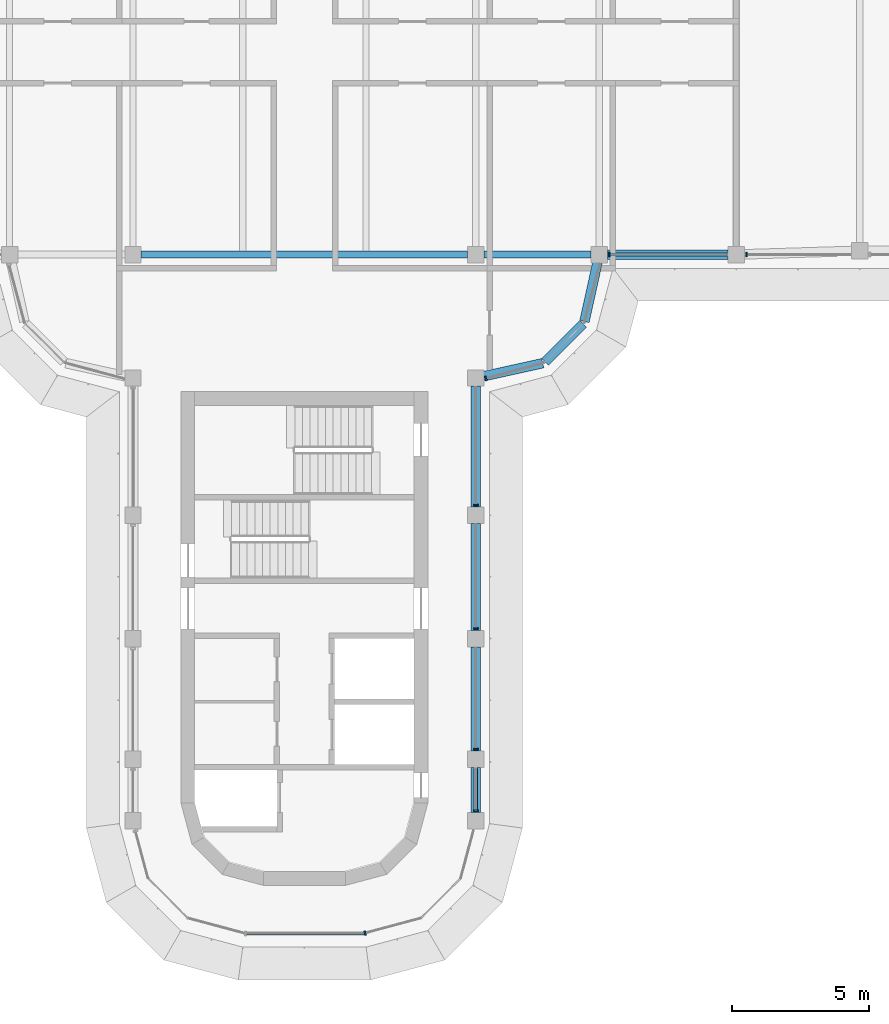
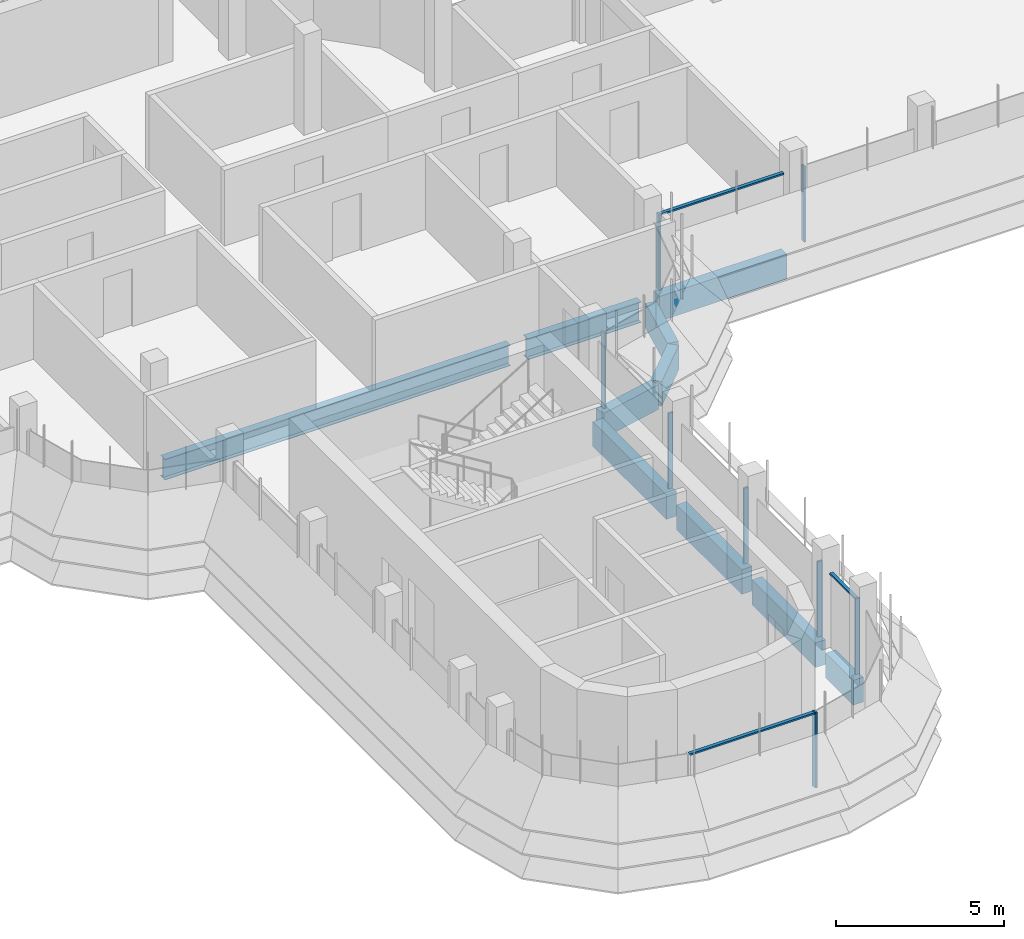
# One storey, part 4 of 19: 11 members, 10 beams, 5 elements without a shape of their own.
"""IFC4 building model written with IfcOpenShell, lengths in metres."""

import ifcopenshell
import ifcopenshell.guid

model = None  # the IFC model being written
_history = None  # IfcOwnerHistory: only IFC2X3 demands one
_inside = {}  # id of a spatial element -> (the spatial element, [elements in it])
_under = {}  # id of a project, library or spatial element -> (it, [spatial elements below it])
_declared = {}  # id of a project -> (the project, [libraries it declares])
_typed = {}  # id of a type object -> (the type object, [elements of that type])
_made_of = {}  # id of a material, layer set ... -> (it, [elements and type objects made of it])


def new_model(schema):
    """Start an empty IFC model of exactly this schema.

    Asked for "IFC4X3", IfcOpenShell would pick the latest addendum, in which some entities
    have other attributes; the version numbers below select the first issue.
    IFC2X3 requires an IfcOwnerHistory on every rooted entity: one is made here for all.
    """
    global model, _history
    if schema == "IFC4X3":
        model = ifcopenshell.file(schema_version=(4, 3, 0, 0))
    else:
        model = ifcopenshell.file(schema=schema)
    _inside.clear()
    _under.clear()
    _declared.clear()
    _typed.clear()
    _made_of.clear()
    _history = None
    if model.schema == "IFC2X3":
        org = make("IfcOrganization", Name="unknown")
        user = make(
            "IfcPersonAndOrganization",
            ThePerson=make("IfcPerson", FamilyName="unknown"),
            TheOrganization=org,
        )
        app = make(
            "IfcApplication",
            ApplicationDeveloper=org,
            Version="unknown",
            ApplicationFullName="unknown",
            ApplicationIdentifier="unknown",
        )
        _history = make(
            "IfcOwnerHistory",
            OwningUser=user,
            OwningApplication=app,
            ChangeAction="ADDED",
            CreationDate=0,
        )
    return model


def make(cls, **values):
    """One entity of the class cls with the attributes given. An attribute that is None is left unset."""
    return model.create_entity(
        cls, **{name: value for name, value in values.items() if value is not None}
    )


def rooted(cls, **values):
    """An entity with a GlobalId (a new one), such as an element, a storey or a relation."""
    return make(cls, GlobalId=ifcopenshell.guid.new(), OwnerHistory=_history, **values)


def si_unit(unit_type, name, prefix=None):
    """IfcSIUnit, for example si_unit("LENGTHUNIT", "METRE", prefix="MILLI")."""
    return make("IfcSIUnit", UnitType=unit_type, Prefix=prefix, Name=name)


def assignment(units):
    """IfcUnitAssignment: the units of a project."""
    return None if units is None else make("IfcUnitAssignment", Units=units)


def point(xyz):
    """IfcCartesianPoint."""
    return None if xyz is None else make("IfcCartesianPoint", Coordinates=xyz)


def direction(xyz):
    """IfcDirection."""
    return None if xyz is None else make("IfcDirection", DirectionRatios=xyz)


def frame(location, z_axis=None, x_axis=None):
    """IfcAxis2Placement3D, a coordinate frame: its origin and axes. An axis left out is left unset."""
    return make(
        "IfcAxis2Placement3D",
        Location=point(location),
        Axis=direction(z_axis),
        RefDirection=direction(x_axis),
    )


def frame_2d(location, x_axis=None):
    """IfcAxis2Placement2D, a coordinate frame in the plane: its origin and x axis."""
    return make(
        "IfcAxis2Placement2D", Location=point(location), RefDirection=direction(x_axis)
    )


def origin():
    """The frame at (0, 0, 0) with its axes left unset."""
    return frame((0.0, 0.0, 0.0))


def origin_2d():
    """The frame at (0, 0) in the plane with its x axis left unset."""
    return frame_2d((0.0, 0.0))


def place(relative_to, where):
    """IfcLocalPlacement: puts the frame where relative to a parent placement (None: the world)."""
    return make(
        "IfcLocalPlacement", PlacementRelTo=relative_to, RelativePlacement=where
    )


def context(
    kind, dimensions, precision=None, world=None, true_north=None, identifier=None
):
    """IfcGeometricRepresentationContext, for example the 3D "Model" context."""
    return make(
        "IfcGeometricRepresentationContext",
        ContextIdentifier=identifier,
        ContextType=kind,
        CoordinateSpaceDimension=dimensions,
        Precision=precision,
        WorldCoordinateSystem=world,
        TrueNorth=true_north,
    )


def subcontext(parent, identifier, kind, view, scale=None):
    """IfcGeometricRepresentationSubContext, for example "Body" below "Model"."""
    return make(
        "IfcGeometricRepresentationSubContext",
        ContextIdentifier=identifier,
        ContextType=kind,
        ParentContext=parent,
        TargetScale=scale,
        TargetView=view,
    )


def project(units=None, contexts=None):
    """IfcProject with its units and contexts."""
    return rooted(
        "IfcProject",
        Name="project",
        RepresentationContexts=contexts,
        UnitsInContext=assignment(units),
    )


def spatial(cls, under=None, at=None, **own):
    """A site, building, storey or space (cls), placed at a placement, below another one or the project."""
    s = rooted(cls, ObjectPlacement=at, **own)
    if under is not None:
        _under.setdefault(under.id(), (under, []))[1].append(s)
    return s


def polyline(points):
    """IfcPolyline through the points."""
    return make("IfcPolyline", Points=[point(p) for p in points])


def profile(cls, at=None, kind="AREA", **sizes):
    """A parametric profile (cls). Its sizes go by their IFC names, for example OverallWidth=200.0."""
    return make(cls, ProfileType=kind, Position=at, **sizes)


def rectangle(**sizes):
    """IfcRectangleProfileDef."""
    return profile("IfcRectangleProfileDef", **sizes)


def i_section(**sizes):
    """IfcIShapeProfileDef."""
    return profile("IfcIShapeProfileDef", **sizes)


def outline(outer, holes=None, kind="AREA"):
    """IfcArbitraryClosedProfileDef: a profile drawn as a closed curve; with holes, ...WithVoids."""
    if holes is None:
        return make("IfcArbitraryClosedProfileDef", ProfileType=kind, OuterCurve=outer)
    return make(
        "IfcArbitraryProfileDefWithVoids",
        ProfileType=kind,
        OuterCurve=outer,
        InnerCurves=holes,
    )


def extrude(swept, where, along, depth):
    """IfcExtrudedAreaSolid: the profile swept, set in the frame where, extruded along a direction by depth."""
    return make(
        "IfcExtrudedAreaSolid",
        SweptArea=swept,
        Position=where,
        ExtrudedDirection=direction(along),
        Depth=depth,
    )


def shape(context_of_items, identifier, shape_type, items):
    """IfcShapeRepresentation: the items that make up one representation, for example the "Body"."""
    return make(
        "IfcShapeRepresentation",
        ContextOfItems=context_of_items,
        RepresentationIdentifier=identifier,
        RepresentationType=shape_type,
        Items=items,
    )


def source(mapping_origin, context_of_items, identifier, shape_type, items):
    """IfcRepresentationMap: a shape defined once, which mapped items show again and again."""
    return make(
        "IfcRepresentationMap",
        MappingOrigin=mapping_origin,
        MappedRepresentation=shape(context_of_items, identifier, shape_type, items),
    )


def transform(
    local_origin,
    x_axis=None,
    y_axis=None,
    z_axis=None,
    scale=None,
    scale2=None,
    scale3=None,
    uniform=True,
):
    """IfcCartesianTransformationOperator3D, or its non-uniform kind. x_axis, y_axis, z_axis: its Axis1, 2, 3."""
    if uniform:
        return make(
            "IfcCartesianTransformationOperator3D",
            Axis1=direction(x_axis),
            Axis2=direction(y_axis),
            LocalOrigin=point(local_origin),
            Scale=scale,
            Axis3=direction(z_axis),
        )
    return make(
        "IfcCartesianTransformationOperator3DnonUniform",
        Axis1=direction(x_axis),
        Axis2=direction(y_axis),
        LocalOrigin=point(local_origin),
        Scale=scale,
        Axis3=direction(z_axis),
        Scale2=scale2,
        Scale3=scale3,
    )


def mapped(mapping_source, mapping_target):
    """IfcMappedItem: shows the shape of a source again, moved by a transform."""
    return make(
        "IfcMappedItem", MappingSource=mapping_source, MappingTarget=mapping_target
    )


def material(Name=None, Category=None):
    """IfcMaterial."""
    return make("IfcMaterial", Name=Name, Category=Category)


def material_profile(
    of_material, cross_section, Name=None, Category=None, Priority=None
):
    """IfcMaterialProfile: a cross section and its material."""
    return make(
        "IfcMaterialProfile",
        Name=Name,
        Material=of_material,
        Profile=cross_section,
        Priority=Priority,
        Category=Category,
    )


def profile_set(profiles, Name=None, composite=None):
    """IfcMaterialProfileSet."""
    return make(
        "IfcMaterialProfileSet",
        Name=Name,
        MaterialProfiles=profiles,
        CompositeProfile=composite,
    )


def made_of(thing, what):
    """Note that an element or type object is made of a material, layer set ...; save() writes the relation."""
    if what is not None:
        _made_of.setdefault(what.id(), (what, []))[1].append(thing)
    return thing


def type_object(cls, material=None, **own):
    """A type object (cls), such as IfcWallType, which elements share."""
    return made_of(rooted(cls, **own), material)


def element(
    cls,
    number,
    at=None,
    inside=None,
    cuts=None,
    type_object=None,
    material=None,
    context=None,
    identifier="Body",
    shape_type=None,
    held_by="IfcProductDefinitionShape",
    body=None,
    shapes=None,
    **own,
):
    """One element of the class cls, such as IfcWall. Its Tag is "e" and its number.

    at: its placement. inside: the storey or other place that contains it. cuts: it is an
    opening in that element (IfcRelVoidsElement). A single representation is given by context,
    identifier, shape_type and body (its items); several are given by shapes. held_by: the class
    of the entity that holds the representations. save() writes the other relations.
    """
    e = rooted(cls, Tag="e%d" % number, ObjectPlacement=at, **own)
    if body is not None:
        shapes = [shape(context, identifier, shape_type, body)]
    if shapes is not None:
        e.Representation = make(held_by, Representations=shapes)
    if inside is not None:
        _inside.setdefault(inside.id(), (inside, []))[1].append(e)
    if cuts is not None:
        rooted(
            "IfcRelVoidsElement", RelatingBuildingElement=cuts, RelatedOpeningElement=e
        )
    if type_object is not None:
        _typed.setdefault(type_object.id(), (type_object, []))[1].append(e)
    return made_of(e, material)


def aggregate(whole, parts):
    """IfcRelAggregates: a whole, such as a stair, and the parts it consists of."""
    return rooted("IfcRelAggregates", RelatingObject=whole, RelatedObjects=parts)


def save(model, path):
    """Write the relations noted so far, then the file.

    IfcRelAggregates (storeys below a building ...), IfcRelContainedInSpatialStructure (elements
    in a storey), IfcRelDefinesByType, IfcRelAssociatesMaterial and IfcRelDeclares: one each for
    every whole, place, type object, material and project.
    """
    for whole, parts in _under.values():
        aggregate(whole, parts)
    for where, things in _inside.values():
        rooted(
            "IfcRelContainedInSpatialStructure",
            RelatedElements=things,
            RelatingStructure=where,
        )
    for kind, things in _typed.values():
        rooted("IfcRelDefinesByType", RelatedObjects=things, RelatingType=kind)
    for what, things in _made_of.values():
        rooted("IfcRelAssociatesMaterial", RelatedObjects=things, RelatingMaterial=what)
    for by, libraries in _declared.values():
        rooted("IfcRelDeclares", RelatingContext=by, RelatedDefinitions=libraries)
    model.write(path)


model = new_model("IFC4")

# Units and contexts
model_context = context("Model", 3, precision=1e-05, world=origin(), true_north=direction((0.0, 1.0)))
body_context = subcontext(model_context, "Body", "Model", "MODEL_VIEW")
ifc_project = project(units=[si_unit("LENGTHUNIT", "METRE"), si_unit("AREAUNIT", "SQUARE_METRE"), si_unit("VOLUMEUNIT", "CUBIC_METRE"), si_unit("PLANEANGLEUNIT", "RADIAN"), si_unit("MASSUNIT", "GRAM", prefix="KILO")], contexts=[model_context])

# Site, building, storey
site_placement = place(None, origin())
site = spatial("IfcSite", under=ifc_project, at=site_placement, CompositionType="ELEMENT")
building_placement = place(site_placement, origin())
building = spatial("IfcBuilding", under=site, at=building_placement, Name="Zarbagh Exchange Tower", CompositionType="ELEMENT")
storey_placement = place(building_placement, frame((0.0, 0.0, 257.39990234375)))
storey = spatial("IfcBuildingStorey", under=building, at=storey_placement, Name="L63", CompositionType="ELEMENT", Elevation=257.39990234375)

# Beams
ifc_material_1 = material(Name="Steel ASTM A992 Gr 50", Category="steel")
ifc_material_profile_1 = material_profile(ifc_material_1, i_section(OverallWidth=0.2666015625, OverallDepth=0.7568359375, WebThickness=0.013916015625, FlangeThickness=0.019287109375, at=origin_2d()), Name="W30X108")
ifc_profile_set_1 = profile_set([ifc_material_profile_1], Name="Steel ASTM A992 Gr 50")
beam_type_1 = type_object("IfcBeamType", Name="Floor girder W30X108", PredefinedType="BEAM", material=ifc_profile_set_1)
beam_1_placement = place(storey_placement, frame((-5.949951171875, -6.25, -0.5283203125), z_axis=(1.0, 0.0, 0.0), x_axis=(0.0, 1.0, 0.0)))
element("IfcBeam", 1, at=beam_1_placement, inside=storey, type_object=beam_type_1, Name="Steel girder", PredefinedType="BEAM", context=body_context, shape_type="SweptSolid", body=[
    extrude(i_section(OverallWidth=0.2666015625, OverallDepth=0.7568359375, WebThickness=0.013916015625, FlangeThickness=0.019287109375, at=origin_2d()), origin(), (0.0, 0.0, 1.0), 11.89990234375),
])
beam_2_placement = place(storey_placement, frame((6.550048828125, -6.25, -0.5283203125), z_axis=(1.0, 0.0, 0.0), x_axis=(0.0, 1.0, 0.0)))
element("IfcBeam", 2, at=beam_2_placement, inside=storey, type_object=beam_type_1, Name="Steel girder", PredefinedType="BEAM", context=body_context, shape_type="SweptSolid", body=[
    extrude(i_section(OverallWidth=0.2666015625, OverallDepth=0.7568359375, WebThickness=0.013916015625, FlangeThickness=0.019287109375, at=origin_2d()), origin(), (0.0, 0.0, 1.0), 3.89990234375),
])
ifc_material_2 = material(Name="Concrete C40/50", Category="concrete")
ifc_material_profile_2 = material_profile(ifc_material_2, rectangle(XDim=0.35009765625, YDim=0.89990234375, at=origin_2d()), Name="RC spandrel beam 350 x 900 C40/50")
ifc_profile_set_2 = profile_set([ifc_material_profile_2], Name="Concrete C40/50")
beam_type_2 = type_object("IfcBeamType", Name="RC spandrel beam 350 x 900 C40/50", PredefinedType="SPANDREL", material=ifc_profile_set_2)
beam_3_placement = place(storey_placement, frame((15.449951171875, -6.25, -0.599853515625), z_axis=(-1.0, 0.0, 0.0), x_axis=(0.0, -1.0, 0.0)))
element("IfcBeam", 3, at=beam_3_placement, inside=storey, type_object=beam_type_2, Name="RC spandrel beam", PredefinedType="SPANDREL", context=body_context, shape_type="SweptSolid", body=[
    extrude(rectangle(XDim=0.35009765625, YDim=0.89990234375, at=origin_2d()), origin(), (0.0, 0.0, 1.0), 4.39990234375),
])
beam_4_placement = place(storey_placement, frame((10.685302734375, -6.54296875, -0.599853515625), z_axis=(-0.216025770228, -0.976387662047, 0.0), x_axis=(0.976387662047, -0.216025770228, 0.0)))
element("IfcBeam", 4, at=beam_4_placement, inside=storey, type_object=beam_type_2, Name="RC spandrel beam", PredefinedType="SPANDREL", context=body_context, shape_type="SweptSolid", body=[
    extrude(rectangle(XDim=0.35009765625, YDim=0.89990234375, at=origin_2d()), origin(), (0.0, 0.0, 1.0), 2.200439453125),
])
beam_5_placement = place(storey_placement, frame((10.16259765625, -8.77734375, -0.599853515625), z_axis=(-0.707106781187, -0.707106781187, 0.0), x_axis=(0.707106781187, -0.707106781187, 0.0)))
element("IfcBeam", 5, at=beam_5_placement, inside=storey, type_object=beam_type_2, Name="RC spandrel beam", PredefinedType="SPANDREL", context=body_context, shape_type="SweptSolid", body=[
    extrude(rectangle(XDim=0.35009765625, YDim=0.89990234375, at=origin_2d()), origin(), (0.0, 0.0, 1.0), 1.958984375),
])
beam_6_placement = place(storey_placement, frame((8.69140625, -10.2099609375, -0.599853515625), z_axis=(-0.976387662047, -0.216025770228, 0.0), x_axis=(0.216025770228, -0.976387662047, 0.0)))
element("IfcBeam", 6, at=beam_6_placement, inside=storey, type_object=beam_type_2, Name="RC spandrel beam", PredefinedType="SPANDREL", context=body_context, shape_type="SweptSolid", body=[
    extrude(rectangle(XDim=0.35009765625, YDim=0.89990234375, at=origin_2d()), origin(), (0.0, 0.0, 1.0), 2.200439453125),
])
beam_7_placement = place(storey_placement, frame((6.25, -11.050048828125, -0.599853515625), z_axis=(0.0, -1.0, 0.0), x_axis=(1.0, 0.0, 0.0)))
element("IfcBeam", 7, at=beam_7_placement, inside=storey, type_object=beam_type_2, Name="RC spandrel beam", PredefinedType="SPANDREL", context=body_context, shape_type="SweptSolid", body=[
    extrude(rectangle(XDim=0.35009765625, YDim=0.89990234375, at=origin_2d()), origin(), (0.0, 0.0, 1.0), 4.39990234375),
])
beam_8_placement = place(storey_placement, frame((6.25, -16.050048828125, -0.599853515625), z_axis=(0.0, -1.0, 0.0), x_axis=(1.0, 0.0, 0.0)))
element("IfcBeam", 8, at=beam_8_placement, inside=storey, type_object=beam_type_2, Name="RC spandrel beam", PredefinedType="SPANDREL", context=body_context, shape_type="SweptSolid", body=[
    extrude(rectangle(XDim=0.35009765625, YDim=0.89990234375, at=origin_2d()), origin(), (0.0, 0.0, 1.0), 3.89990234375),
])
beam_9_placement = place(storey_placement, frame((6.25, -20.550048828125, -0.599853515625), z_axis=(0.0, -1.0, 0.0), x_axis=(1.0, 0.0, 0.0)))
element("IfcBeam", 9, at=beam_9_placement, inside=storey, type_object=beam_type_2, Name="RC spandrel beam", PredefinedType="SPANDREL", context=body_context, shape_type="SweptSolid", body=[
    extrude(rectangle(XDim=0.35009765625, YDim=0.89990234375, at=origin_2d()), origin(), (0.0, 0.0, 1.0), 3.800048828125),
])
beam_10_placement = place(storey_placement, frame((6.25, -24.949951171875, -0.599853515625), z_axis=(0.0, -1.0, 0.0), x_axis=(1.0, 0.0, 0.0)))
element("IfcBeam", 10, at=beam_10_placement, inside=storey, type_object=beam_type_2, Name="RC spandrel beam", PredefinedType="SPANDREL", context=body_context, shape_type="SweptSolid", body=[
    extrude(rectangle(XDim=0.35009765625, YDim=0.89990234375, at=origin_2d()), origin(), (0.0, 0.0, 1.0), 1.650146484375),
])

# Curtain wall, member
ifc_material_3 = material(Name="Anodised aluminium frame and glazing", Category="aluminium")
curtain_wall_type = type_object("IfcCurtainWallType", Name="CWB Ribbon glazing, upper zones", PredefinedType="NOTDEFINED", material=ifc_material_3)
curtain_wall_1_placement = place(storey_placement, origin())
curtain_wall_1 = element("IfcCurtainWall", 11, at=curtain_wall_1_placement, inside=storey, type_object=curtain_wall_type, Name="CWB49 curtain wall", PredefinedType="NOTDEFINED")
ifc_material_4 = material(Name="Anodised aluminium frame", Category="aluminium")
member_type_1 = type_object("IfcMemberType", Name="MUB Mullion, anodised aluminium frame", PredefinedType="MULLION", material=ifc_material_4)
shared_shape_1 = source(origin(), body_context, "Body", "SweptSolid", [
    extrude(outline(polyline([(0.0, -0.080078125), (0.06005859375, -0.080078125), (0.06005859375, 0.080078125), (0.0, 0.080078125), (0.0, -0.080078125)])), origin(), (0.0, 0.0, 1.0), 2.75),
])
placement = place(storey_placement, origin())
member_1 = element("IfcMember", 12, at=placement, type_object=member_type_1, Name="CWB49 mullion 1.1", PredefinedType="MULLION", context=body_context, shape_type="MappedRepresentation", body=[
    mapped(shared_shape_1, transform((2.18408203125, -31.0, 0.0), x_axis=(0.965924289636, 0.258824779902, 0.0), y_axis=(-0.258824779902, 0.965924289636, 0.0), z_axis=(0.0, 0.0, 1.0))),
])
aggregate(curtain_wall_1, [member_1])

# Curtain wall, members
curtain_wall_2_placement = place(storey_placement, origin())
curtain_wall_2 = element("IfcCurtainWall", 13, at=curtain_wall_2_placement, inside=storey, type_object=curtain_wall_type, Name="CWB52 curtain wall", PredefinedType="NOTDEFINED")
member_2 = element("IfcMember", 14, at=placement, type_object=member_type_1, Name="CWB52 mullion 1.1", PredefinedType="MULLION", context=body_context, shape_type="MappedRepresentation", body=[
    mapped(shared_shape_1, transform((6.25, -26.56005859375, 0.0), x_axis=(0.0, 1.0, 0.0), y_axis=(-1.0, 0.0, 0.0), z_axis=(0.0, 0.0, 1.0))),
])
member_3 = element("IfcMember", 15, at=placement, type_object=member_type_1, Name="CWB52 mullion 2.1", PredefinedType="MULLION", context=body_context, shape_type="MappedRepresentation", body=[
    mapped(shared_shape_1, transform((6.25, -24.31005859375, 0.0), x_axis=(0.0, 1.0, 0.0), y_axis=(-1.0, 0.0, 0.0), z_axis=(0.0, 0.0, 1.0))),
])
member_4 = element("IfcMember", 16, at=placement, type_object=member_type_1, Name="CWB52 mullion 3.1", PredefinedType="MULLION", context=body_context, shape_type="MappedRepresentation", body=[
    mapped(shared_shape_1, transform((6.25, -19.909912109375, 0.0), x_axis=(0.0, 1.0, 0.0), y_axis=(-1.0, 0.0, 0.0), z_axis=(0.0, 0.0, 1.0))),
])
member_5 = element("IfcMember", 17, at=placement, type_object=member_type_1, Name="CWB52 mullion 4.1", PredefinedType="MULLION", context=body_context, shape_type="MappedRepresentation", body=[
    mapped(shared_shape_1, transform((6.25, -15.409912109375, 0.0), x_axis=(0.0, 1.0, 0.0), y_axis=(-1.0, 0.0, 0.0), z_axis=(0.0, 0.0, 1.0))),
])

# Curtain wall, member
curtain_wall_3_placement = place(storey_placement, origin())
curtain_wall_3 = element("IfcCurtainWall", 18, at=curtain_wall_3_placement, inside=storey, type_object=curtain_wall_type, Name="CWB05 curtain wall", PredefinedType="NOTDEFINED")
member_6 = element("IfcMember", 19, at=placement, type_object=member_type_1, Name="CWB05 mullion 1.1", PredefinedType="MULLION", context=body_context, shape_type="MappedRepresentation", body=[
    mapped(shared_shape_1, transform((6.590087890625, -10.775146484375, 0.0), x_axis=(0.965924289636, 0.258824779902, 0.0), y_axis=(-0.258824779902, 0.965924289636, 0.0), z_axis=(0.0, 0.0, 1.0))),
])
aggregate(curtain_wall_3, [member_6])

# Curtain wall, members
curtain_wall_4_placement = place(storey_placement, origin())
curtain_wall_4 = element("IfcCurtainWall", 20, at=curtain_wall_4_placement, inside=storey, type_object=curtain_wall_type, Name="CWB75 curtain wall", PredefinedType="NOTDEFINED")
member_7 = element("IfcMember", 21, at=placement, type_object=member_type_1, Name="CWB75 mullion 1.1", PredefinedType="MULLION", context=body_context, shape_type="MappedRepresentation", body=[
    mapped(shared_shape_1, transform((11.090087890625, -6.25, 0.0), x_axis=(1.0, 0.0, 0.0), y_axis=(0.0, 1.0, 0.0), z_axis=(0.0, 0.0, 1.0))),
])
member_8 = element("IfcMember", 22, at=placement, type_object=member_type_1, Name="CWB75 mullion 2.1", PredefinedType="MULLION", context=body_context, shape_type="MappedRepresentation", body=[
    mapped(shared_shape_1, transform((16.090087890625, -6.25, 0.0), x_axis=(1.0, 0.0, 0.0), y_axis=(0.0, 1.0, 0.0), z_axis=(0.0, 0.0, 1.0))),
])

# Curtain wall, member
curtain_wall_5_placement = place(storey_placement, origin())
curtain_wall_5 = element("IfcCurtainWall", 23, at=curtain_wall_5_placement, inside=storey, type_object=curtain_wall_type, Name="CWB57 curtain wall", PredefinedType="NOTDEFINED")
member_type_2 = type_object("IfcMemberType", Name="TRB Transom, anodised aluminium frame", PredefinedType="USERDEFINED", material=ifc_material_4)
shared_shape_2 = source(origin(), body_context, "Body", "SweptSolid", [
    extrude(outline(polyline([(-0.06005859375, -0.06005859375), (0.0, -0.06005859375), (0.0, 0.06005859375), (-0.06005859375, 0.06005859375), (-0.06005859375, -0.06005859375)])), origin(), (0.0, 0.0, 1.0), 4.308349609375),
])
member_9 = element("IfcMember", 24, at=placement, type_object=member_type_2, Name="CWB57 transom 1.1", ObjectType="TRANSOM", PredefinedType="USERDEFINED", context=body_context, shape_type="MappedRepresentation", body=[
    mapped(shared_shape_2, transform((-2.124267578125, -31.0, 2.75), x_axis=(0.0, 0.0, 1.0), y_axis=(0.0, -1.0, 0.0), z_axis=(1.0, 0.0, 0.0))),
])
aggregate(curtain_wall_5, [member_9])

# Member
shared_shape_3 = source(origin(), body_context, "Body", "SweptSolid", [
    extrude(outline(polyline([(-0.06005859375, -0.06005859375), (0.0, -0.06005859375), (0.0, 0.06005859375), (-0.06005859375, 0.06005859375), (-0.06005859375, -0.06005859375)])), origin(), (0.0, 0.0, 1.0), 1.510009765625),
])
member_10 = element("IfcMember", 25, at=placement, type_object=member_type_2, Name="CWB52 transom 1.1", ObjectType="TRANSOM", PredefinedType="USERDEFINED", context=body_context, shape_type="MappedRepresentation", body=[
    mapped(shared_shape_3, transform((6.25, -26.5, 2.75), x_axis=(0.0, 0.0, 1.0), y_axis=(1.0, 0.0, 0.0), z_axis=(0.0, 1.0, 0.0))),
])

aggregate(curtain_wall_2, [member_2, member_10, member_3, member_4, member_5])

shared_shape_4 = source(origin(), body_context, "Body", "SweptSolid", [
    extrude(outline(polyline([(-0.06005859375, -0.06005859375), (0.0, -0.06005859375), (0.0, 0.06005859375), (-0.06005859375, 0.06005859375), (-0.06005859375, -0.06005859375)])), origin(), (0.0, 0.0, 1.0), 4.260009765625),
])
member_11 = element("IfcMember", 26, at=placement, type_object=member_type_2, Name="CWB75 transom 1.1", ObjectType="TRANSOM", PredefinedType="USERDEFINED", context=body_context, shape_type="MappedRepresentation", body=[
    mapped(shared_shape_4, transform((11.150146484375, -6.25, 2.75), x_axis=(0.0, 0.0, 1.0), y_axis=(0.0, -1.0, 0.0), z_axis=(1.0, 0.0, 0.0))),
])

aggregate(curtain_wall_4, [member_7, member_11, member_8])

save(model, "model.ifc")
